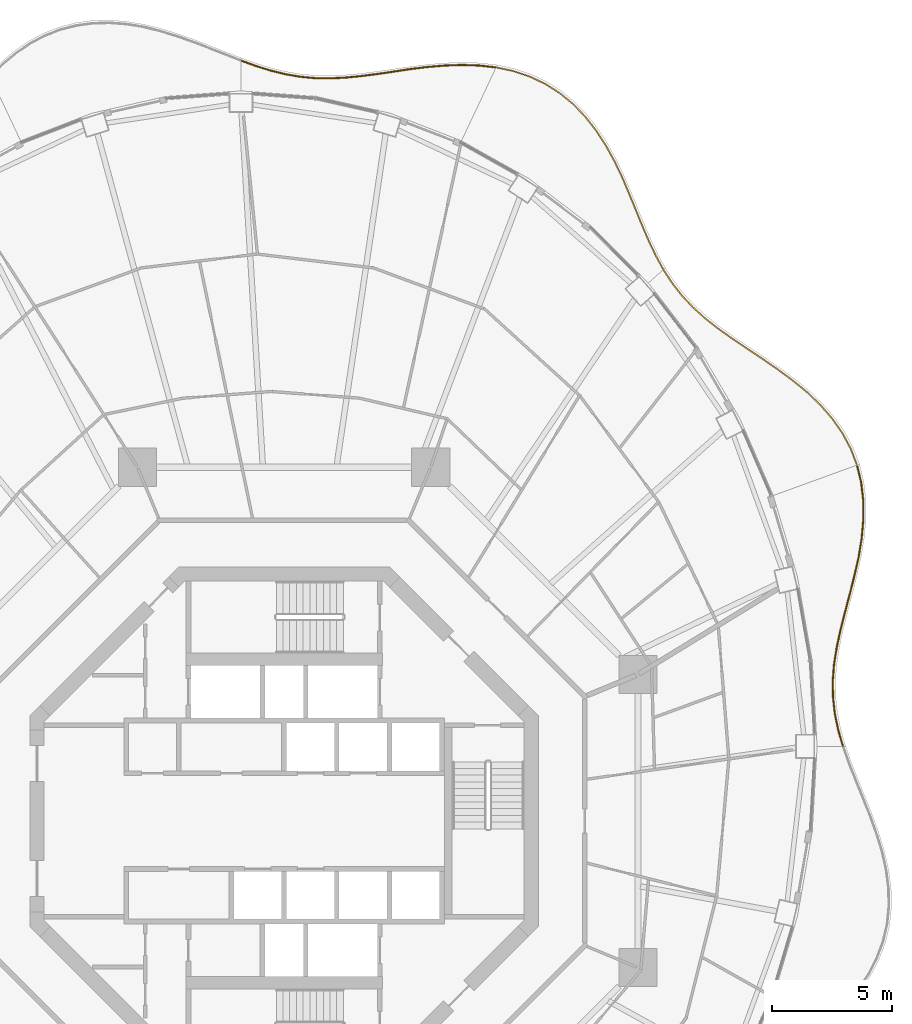
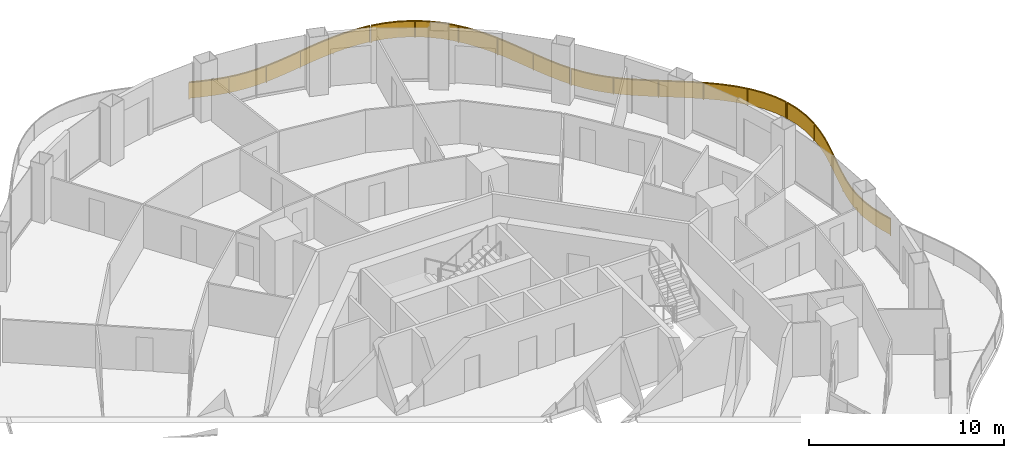
# One storey, part 18 of 18: 4 railings.
"""IFC4 building model written with IfcOpenShell, lengths in metres."""

from ifc_helpers import new_model, si_unit, direction, frame, origin, origin_2d, place, context, subcontext, project, spatial, polyline, rectangle, outline, extrude, material, type_object, element, save


model = new_model("IFC4")

# Units and contexts
model_context = context("Model", 3, precision=1e-05, world=origin(), true_north=direction((0.0, 1.0)))
body_context = subcontext(model_context, "Body", "Model", "MODEL_VIEW")
ifc_project = project(units=[si_unit("LENGTHUNIT", "METRE"), si_unit("AREAUNIT", "SQUARE_METRE"), si_unit("VOLUMEUNIT", "CUBIC_METRE"), si_unit("PLANEANGLEUNIT", "RADIAN"), si_unit("MASSUNIT", "GRAM", prefix="KILO")], contexts=[model_context])

# Site, building, storey
site_placement = place(None, origin())
site = spatial("IfcSite", under=ifc_project, at=site_placement, CompositionType="ELEMENT")
building_placement = place(site_placement, origin())
building = spatial("IfcBuilding", under=site, at=building_placement, Name="Nagisa Residences", CompositionType="ELEMENT")
storey_placement = place(building_placement, frame((0.0, 0.0, 249.199951171875)))
storey = spatial("IfcBuildingStorey", under=building, at=storey_placement, Name="L63", CompositionType="ELEMENT", Elevation=249.199951171875)

# Railings
ifc_material = material(Name="Stainless steel 316", Category="steel")
railing_type = type_object("IfcRailingType", Name="BALCONY GUARD 1100", PredefinedType="BALUSTRADE", material=ifc_material)
railing_1_placement = place(storey_placement, frame((23.33984375, 3.15234375, 0.0)))
element("IfcRailing", 1, at=railing_1_placement, inside=storey, type_object=railing_type, Name="guard:L63:bal00-0", PredefinedType="BALUSTRADE", context=body_context, shape_type="SweptSolid", body=[
    extrude(outline(polyline([(-0.21240234375, 0.642333984375), (-0.02392578125, -0.007080078125), (0.02392578125, 0.007080078125), (-0.16357421875, 0.654541015625), (-0.3046875, 1.3369140625), (-0.381103515625, 2.0185546875), (-0.390869140625, 2.70458984375), (-0.33740234375, 3.399658203125), (-0.2255859375, 4.094482421875), (-0.06982421875, 4.819580078125), (0.11669921875, 5.56201171875), (0.317138671875, 6.32177734375), (0.512939453125, 7.096435546875), (0.68798828125, 7.8681640625), (0.8173828125, 8.659423828125), (0.887451171875, 9.449462890625), (0.8837890625, 10.23046875), (0.796142578125, 10.99462890625), (0.62890625, 11.688232421875), (0.580078125, 11.676513671875), (0.746826171875, 10.98583984375), (0.833984375, 10.2275390625), (0.837158203125, 9.451416015625), (0.767578125, 8.665771484375), (0.638671875, 7.8779296875), (0.464111328125, 7.108154296875), (0.268798828125, 6.33447265625), (0.068359375, 5.57470703125), (-0.11865234375, 4.830810546875), (-0.27490234375, 4.103759765625), (-0.38720703125, 3.405517578125), (-0.441162109375, 2.7060546875), (-0.430908203125, 2.015625), (-0.35400390625, 1.3291015625), (-0.21240234375, 0.642333984375)])), frame((0.0, 0.0, 1.050048828125)), (0.0, 0.0, 1.0), 0.050048828125),
    extrude(outline(polyline([(-0.19482421875, 0.646728515625), (-0.0068359375, -0.001953125), (0.0068359375, 0.001953125), (-0.18115234375, 0.650146484375), (-0.322509765625, 1.334228515625), (-0.39892578125, 2.017578125), (-0.408935546875, 2.705078125), (-0.35546875, 3.40185546875), (-0.243408203125, 4.097900390625), (-0.08740234375, 4.823486328125), (0.099365234375, 5.566650390625), (0.2998046875, 6.326416015625), (0.495361328125, 7.1005859375), (0.670166015625, 7.871826171875), (0.79931640625, 8.66162109375), (0.869384765625, 9.4501953125), (0.865966796875, 10.2294921875), (0.7783203125, 10.991455078125), (0.611328125, 11.68408203125), (0.59765625, 11.6806640625), (0.7646484375, 10.989013671875), (0.851806640625, 10.228515625), (0.855224609375, 9.45068359375), (0.78564453125, 8.66357421875), (0.656494140625, 7.874267578125), (0.481689453125, 7.10400390625), (0.2861328125, 6.329833984375), (0.085693359375, 5.570068359375), (-0.10107421875, 4.826904296875), (-0.257080078125, 4.100341796875), (-0.369140625, 3.4033203125), (-0.423095703125, 2.70556640625), (-0.4130859375, 2.0166015625), (-0.336181640625, 1.331787109375), (-0.19482421875, 0.646728515625)])), frame((0.0, 0.0, 0.06005859375)), (0.0, 0.0, 1.0), 0.989990234375),
    extrude(rectangle(XDim=0.0400390625, YDim=0.0400390625, at=origin_2d()), origin(), (0.0, 0.0, 1.0), 1.050048828125),
    extrude(rectangle(XDim=0.0400390625, YDim=0.0400390625, at=origin_2d()), frame((-0.41064453125, 2.33203125, 0.0)), (0.0, 0.0, 1.0), 1.050048828125),
    extrude(rectangle(XDim=0.0400390625, YDim=0.0400390625, at=origin_2d()), frame((-0.124267578125, 4.684814453125, 0.0)), (0.0, 0.0, 1.0), 1.050048828125),
    extrude(rectangle(XDim=0.0400390625, YDim=0.0400390625, at=origin_2d()), frame((0.4599609375, 6.9892578125, 0.0)), (0.0, 0.0, 1.0), 1.050048828125),
    extrude(rectangle(XDim=0.0400390625, YDim=0.0400390625, at=origin_2d()), frame((0.8515625, 9.330322265625, 0.0)), (0.0, 0.0, 1.0), 1.050048828125),
    extrude(rectangle(XDim=0.0400390625, YDim=0.0400390625, at=origin_2d()), frame((0.6044921875, 11.682373046875, 0.0)), (0.0, 0.0, 1.0), 1.050048828125),
])
railing_2_placement = place(storey_placement, frame((23.921630859375, 14.90869140625, 0.0)))
element("IfcRailing", 2, at=railing_2_placement, inside=storey, type_object=railing_type, Name="guard:L63:bal01-0", PredefinedType="BALUSTRADE", context=body_context, shape_type="SweptSolid", body=[
    extrude(outline(polyline([(-0.267578125, 0.63037109375), (-0.0234375, -0.009033203125), (0.0234375, 0.009033203125), (-0.22216796875, 0.6513671875), (-0.56982421875, 1.303466796875), (-0.99755859375, 1.916748046875), (-1.495849609375, 2.49072265625), (-2.05224609375, 3.025146484375), (-2.646240234375, 3.51025390625), (-3.275390625, 3.976806640625), (-3.9169921875, 4.419189453125), (-4.5556640625, 4.84521484375), (-5.1767578125, 5.2646484375), (-5.760009765625, 5.6748046875), (-6.312255859375, 6.110595703125), (-6.8193359375, 6.56884765625), (-7.278076171875, 7.057373046875), (-7.689697265625, 7.582275390625), (-8.034423828125, 8.112060546875), (-8.076416015625, 8.084716796875), (-7.730224609375, 7.552978515625), (-7.316162109375, 7.024658203125), (-6.8544921875, 6.533203125), (-6.344482421875, 6.072509765625), (-5.789794921875, 5.634765625), (-5.205078125, 5.2236328125), (-4.58349609375, 4.8037109375), (-3.9453125, 4.377685546875), (-3.3046875, 3.936279296875), (-2.677001953125, 3.470703125), (-2.08544921875, 2.987548828125), (-1.531982421875, 2.4560546875), (-1.037109375, 1.885986328125), (-0.61279296875, 1.277099609375), (-0.267578125, 0.63037109375)])), frame((0.0, 0.0, 1.050048828125)), (0.0, 0.0, 1.0), 0.050048828125),
    extrude(outline(polyline([(-0.251220703125, 0.637939453125), (-0.006591796875, -0.00244140625), (0.006591796875, 0.00244140625), (-0.238525390625, 0.643798828125), (-0.58544921875, 1.2939453125), (-1.01171875, 1.90576171875), (-1.5087890625, 2.478271484375), (-2.064208984375, 3.011474609375), (-2.6572265625, 3.49609375), (-3.285888671875, 3.962158203125), (-3.92724609375, 4.404296875), (-4.565673828125, 4.830322265625), (-5.18701171875, 5.25), (-5.770751953125, 5.660400390625), (-6.32373046875, 6.096923828125), (-6.83203125, 6.555908203125), (-7.291748046875, 7.045654296875), (-7.704345703125, 7.57177734375), (-8.049560546875, 8.102294921875), (-8.061279296875, 8.094482421875), (-7.715576171875, 7.5634765625), (-7.302490234375, 7.036376953125), (-6.841796875, 6.546142578125), (-6.3330078125, 6.086181640625), (-5.779052734375, 5.649169921875), (-5.19482421875, 5.23828125), (-4.573486328125, 4.818603515625), (-3.93505859375, 4.392578125), (-3.294189453125, 3.950927734375), (-2.666015625, 3.48486328125), (-2.073486328125, 3.001220703125), (-1.51904296875, 2.468505859375), (-1.02294921875, 1.89697265625), (-0.59716796875, 1.28662109375), (-0.251220703125, 0.637939453125)])), frame((0.0, 0.0, 0.06005859375)), (0.0, 0.0, 1.0), 0.989990234375),
    extrude(rectangle(XDim=0.0400390625, YDim=0.0400390625, at=origin_2d()), origin(), (0.0, 0.0, 1.0), 1.050048828125),
    extrude(rectangle(XDim=0.0400390625, YDim=0.0400390625, at=origin_2d()), frame((-1.119873046875, 2.019287109375, 0.0)), (0.0, 0.0, 1.0), 1.050048828125),
    extrude(rectangle(XDim=0.0400390625, YDim=0.0400390625, at=origin_2d()), frame((-2.81201171875, 3.60205078125, 0.0)), (0.0, 0.0, 1.0), 1.050048828125),
    extrude(rectangle(XDim=0.0400390625, YDim=0.0400390625, at=origin_2d()), frame((-4.720458984375, 4.926513671875, 0.0)), (0.0, 0.0, 1.0), 1.050048828125),
    extrude(rectangle(XDim=0.0400390625, YDim=0.0400390625, at=origin_2d()), frame((-6.578125, 6.3173828125, 0.0)), (0.0, 0.0, 1.0), 1.050048828125),
    extrude(rectangle(XDim=0.0400390625, YDim=0.0400390625, at=origin_2d()), frame((-8.055419921875, 8.098388671875, 0.0)), (0.0, 0.0, 1.0), 1.050048828125),
])
railing_3_placement = place(storey_placement, frame((15.83154296875, 23.068359375, 0.0)))
element("IfcRailing", 3, at=railing_3_placement, inside=storey, type_object=railing_type, Name="guard:L63:bal02-0", PredefinedType="BALUSTRADE", context=body_context, shape_type="SweptSolid", body=[
    extrude(outline(polyline([(-0.318359375, 0.529052734375), (-0.02197265625, -0.011962890625), (0.02197265625, 0.011962890625), (-0.27392578125, 0.552001953125), (-0.566162109375, 1.163818359375), (-0.843017578125, 1.80712890625), (-1.115966796875, 2.474609375), (-1.39599609375, 3.157470703125), (-1.682373046875, 3.8349609375), (-2.00927734375, 4.515625), (-2.37353515625, 5.176513671875), (-2.7822265625, 5.80419921875), (-3.239990234375, 6.38671875), (-3.738037109375, 6.905029296875), (-4.297119140625, 7.364013671875), (-4.907470703125, 7.75146484375), (-5.5625, 8.0615234375), (-6.255615234375, 8.29345703125), (-6.93212890625, 8.43701171875), (-6.9423828125, 8.38818359375), (-6.268798828125, 8.2451171875), (-5.5810546875, 8.01513671875), (-4.931884765625, 7.70751953125), (-4.326416015625, 7.323486328125), (-3.772216796875, 6.868408203125), (-3.277587890625, 6.35400390625), (-2.82275390625, 5.77490234375), (-2.41650390625, 5.150634765625), (-2.0537109375, 4.49267578125), (-1.727783203125, 3.814453125), (-1.4423828125, 3.138427734375), (-1.162353515625, 2.45556640625), (-0.889404296875, 1.78759765625), (-0.611572265625, 1.143310546875), (-0.318359375, 0.529052734375)])), frame((0.0, 0.0, 1.050048828125)), (0.0, 0.0, 1.0), 0.050048828125),
    extrude(outline(polyline([(-0.302490234375, 0.537353515625), (-0.006103515625, -0.00341796875), (0.006103515625, 0.00341796875), (-0.289794921875, 0.543701171875), (-0.58251953125, 1.156494140625), (-0.85986328125, 1.800048828125), (-1.132568359375, 2.4677734375), (-1.412841796875, 3.150634765625), (-1.69873046875, 3.82763671875), (-2.025390625, 4.50732421875), (-2.388916015625, 5.167236328125), (-2.796875, 5.793701171875), (-3.25341796875, 6.375), (-3.750244140625, 6.891845703125), (-4.3076171875, 7.349365234375), (-4.916259765625, 7.735595703125), (-5.569091796875, 8.044921875), (-6.26025390625, 8.276123046875), (-6.935791015625, 8.41943359375), (-6.938720703125, 8.40576171875), (-6.26416015625, 8.262451171875), (-5.574462890625, 8.03173828125), (-4.923095703125, 7.723388671875), (-4.31591796875, 7.338134765625), (-3.760009765625, 6.881591796875), (-3.26416015625, 6.36572265625), (-2.80810546875, 5.785400390625), (-2.401123046875, 5.159912109375), (-2.03759765625, 4.5009765625), (-1.71142578125, 3.82177734375), (-1.425537109375, 3.145263671875), (-1.145751953125, 2.46240234375), (-0.87255859375, 1.794677734375), (-0.59521484375, 1.150634765625), (-0.302490234375, 0.537353515625)])), frame((0.0, 0.0, 0.06005859375)), (0.0, 0.0, 1.0), 0.989990234375),
    extrude(rectangle(XDim=0.0400390625, YDim=0.0400390625, at=origin_2d()), origin(), (0.0, 0.0, 1.0), 1.050048828125),
    extrude(rectangle(XDim=0.0400390625, YDim=0.0400390625, at=origin_2d()), frame((-0.9794921875, 2.07421875, 0.0)), (0.0, 0.0, 1.0), 1.050048828125),
    extrude(rectangle(XDim=0.0400390625, YDim=0.0400390625, at=origin_2d()), frame((-1.878662109375, 4.18603515625, 0.0)), (0.0, 0.0, 1.0), 1.050048828125),
    extrude(rectangle(XDim=0.0400390625, YDim=0.0400390625, at=origin_2d()), frame((-3.076171875, 6.137939453125, 0.0)), (0.0, 0.0, 1.0), 1.050048828125),
    extrude(rectangle(XDim=0.0400390625, YDim=0.0400390625, at=origin_2d()), frame((-4.787841796875, 7.645751953125, 0.0)), (0.0, 0.0, 1.0), 1.050048828125),
    extrude(rectangle(XDim=0.0400390625, YDim=0.0400390625, at=origin_2d()), frame((-6.937255859375, 8.41259765625, 0.0)), (0.0, 0.0, 1.0), 1.050048828125),
])
railing_4_placement = place(storey_placement, frame((8.817626953125, 31.49267578125, 0.0)))
element("IfcRailing", 4, at=railing_4_placement, inside=storey, type_object=railing_type, Name="guard:L63:bal03-0", PredefinedType="BALUSTRADE", context=body_context, shape_type="SweptSolid", body=[
    extrude(outline(polyline([(-0.67041015625, 0.050048828125), (-0.002685546875, -0.02490234375), (0.002685546875, 0.02490234375), (-0.6669921875, 0.099853515625), (-1.396240234375, 0.1240234375), (-2.130126953125, 0.098388671875), (-2.861083984375, 0.03515625), (-3.5830078125, -0.053466796875), (-4.2744140625, -0.15966796875), (-4.9658203125, -0.259521484375), (-5.638671875, -0.34619140625), (-6.293212890625, -0.408447265625), (-6.930908203125, -0.436279296875), (-7.53759765625, -0.426025390625), (-8.15234375, -0.36767578125), (-8.7626953125, -0.262451171875), (-9.3740234375, -0.11181640625), (-9.99072265625, 0.07958984375), (-10.57470703125, 0.290771484375), (-10.591796875, 0.243896484375), (-10.0068359375, 0.0322265625), (-9.38720703125, -0.16015625), (-8.77294921875, -0.311279296875), (-8.1591796875, -0.41748046875), (-7.54052734375, -0.475830078125), (-6.930419921875, -0.486572265625), (-6.289794921875, -0.458251953125), (-5.63330078125, -0.39599609375), (-4.958984375, -0.309326171875), (-4.26708984375, -0.208984375), (-3.576171875, -0.103271484375), (-2.855712890625, -0.0146484375), (-2.127197265625, 0.048583984375), (-1.396240234375, 0.07373046875), (-0.67041015625, 0.050048828125)])), frame((0.0, 0.0, 1.050048828125)), (0.0, 0.0, 1.0), 0.050048828125),
    extrude(outline(polyline([(-0.669189453125, 0.06787109375), (-0.000732421875, -0.0068359375), (0.000732421875, 0.0068359375), (-0.668212890625, 0.08203125), (-1.396240234375, 0.10595703125), (-2.129150390625, 0.08056640625), (-2.859130859375, 0.017333984375), (-3.58056640625, -0.071533203125), (-4.271728515625, -0.177490234375), (-4.96337890625, -0.277587890625), (-5.63671875, -0.3642578125), (-6.2919921875, -0.42626953125), (-6.9306640625, -0.454345703125), (-7.53857421875, -0.44384765625), (-8.15478515625, -0.3857421875), (-8.766357421875, -0.280029296875), (-9.378662109375, -0.129150390625), (-9.99658203125, 0.0625), (-10.580810546875, 0.27392578125), (-10.585693359375, 0.2607421875), (-10.0009765625, 0.04931640625), (-9.382568359375, -0.142822265625), (-8.769287109375, -0.293701171875), (-8.15673828125, -0.3994140625), (-7.53955078125, -0.4580078125), (-6.9306640625, -0.468505859375), (-6.291015625, -0.4404296875), (-5.63525390625, -0.3779296875), (-4.96142578125, -0.291259765625), (-4.269775390625, -0.191162109375), (-3.57861328125, -0.085205078125), (-2.857666015625, 0.003173828125), (-2.128173828125, 0.06640625), (-1.396240234375, 0.091796875), (-0.669189453125, 0.06787109375)])), frame((0.0, 0.0, 0.06005859375)), (0.0, 0.0, 1.0), 0.989990234375),
    extrude(rectangle(XDim=0.0400390625, YDim=0.0400390625, at=origin_2d()), origin(), (0.0, 0.0, 1.0), 1.050048828125),
    extrude(rectangle(XDim=0.0400390625, YDim=0.0400390625, at=origin_2d()), frame((-2.138427734375, 0.07275390625, 0.0)), (0.0, 0.0, 1.0), 1.050048828125),
    extrude(rectangle(XDim=0.0400390625, YDim=0.0400390625, at=origin_2d()), frame((-4.265625, -0.18359375, 0.0)), (0.0, 0.0, 1.0), 1.050048828125),
    extrude(rectangle(XDim=0.0400390625, YDim=0.0400390625, at=origin_2d()), frame((-6.393310546875, -0.437744140625, 0.0)), (0.0, 0.0, 1.0), 1.050048828125),
    extrude(rectangle(XDim=0.0400390625, YDim=0.0400390625, at=origin_2d()), frame((-8.52783203125, -0.328369140625, 0.0)), (0.0, 0.0, 1.0), 1.050048828125),
    extrude(rectangle(XDim=0.0400390625, YDim=0.0400390625, at=origin_2d()), frame((-10.583251953125, 0.267333984375, 0.0)), (0.0, 0.0, 1.0), 1.050048828125),
])

save(model, "model.ifc")
